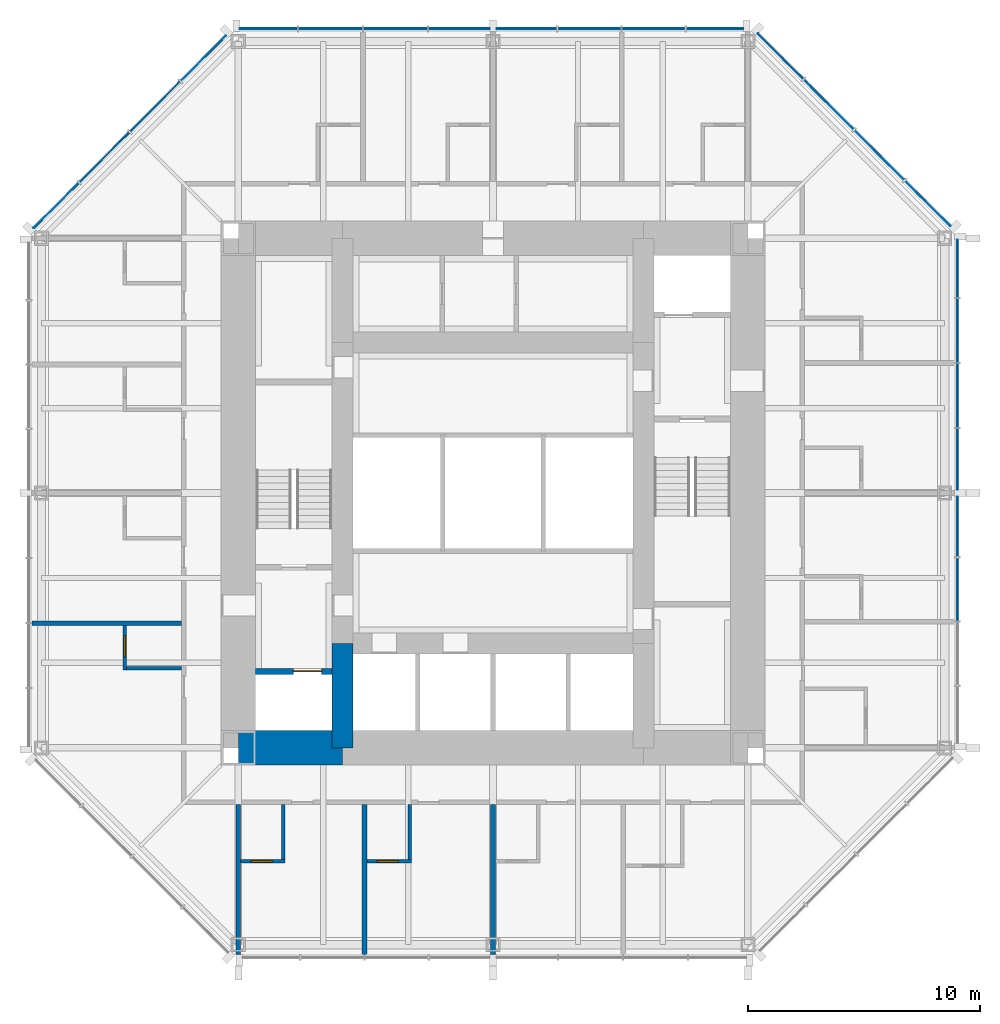
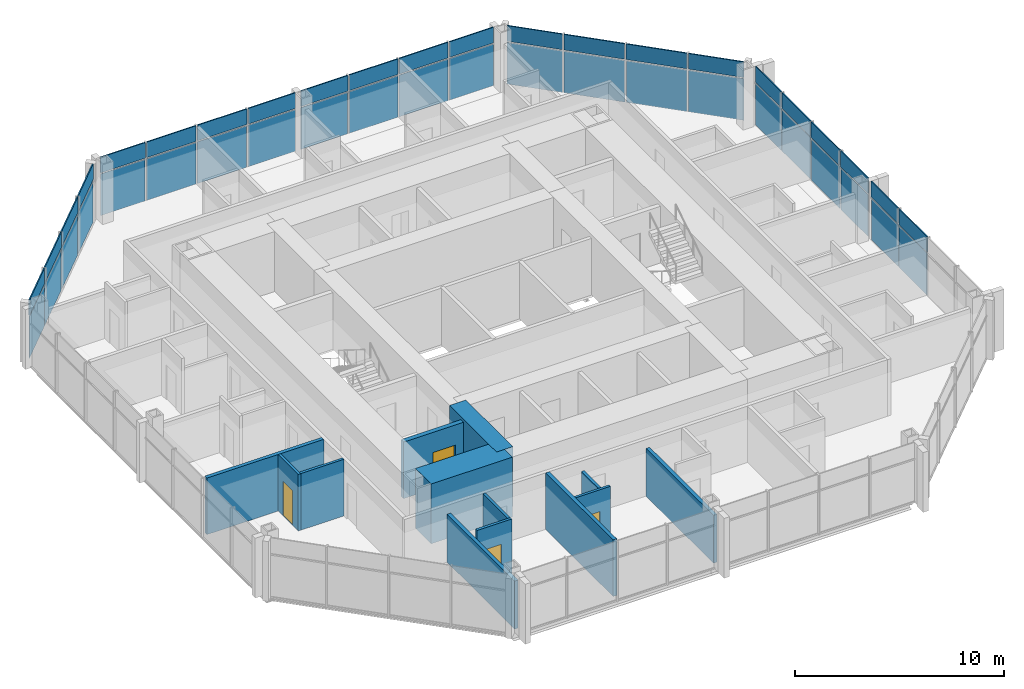
# One storey, part 7 of 12: 44 plates, 13 walls, 4 doors, 4 openings, 4 elements without a shape of their own.
"""IFC4 building model written with IfcOpenShell, lengths in metres."""

import ifcopenshell
import ifcopenshell.guid

model = None  # the IFC model being written
_history = None  # IfcOwnerHistory: only IFC2X3 demands one
_inside = {}  # id of a spatial element -> (the spatial element, [elements in it])
_under = {}  # id of a project, library or spatial element -> (it, [spatial elements below it])
_declared = {}  # id of a project -> (the project, [libraries it declares])
_typed = {}  # id of a type object -> (the type object, [elements of that type])
_made_of = {}  # id of a material, layer set ... -> (it, [elements and type objects made of it])


def new_model(schema):
    """Start an empty IFC model of exactly this schema.

    Asked for "IFC4X3", IfcOpenShell would pick the latest addendum, in which some entities
    have other attributes; the version numbers below select the first issue.
    IFC2X3 requires an IfcOwnerHistory on every rooted entity: one is made here for all.
    """
    global model, _history
    if schema == "IFC4X3":
        model = ifcopenshell.file(schema_version=(4, 3, 0, 0))
    else:
        model = ifcopenshell.file(schema=schema)
    _inside.clear()
    _under.clear()
    _declared.clear()
    _typed.clear()
    _made_of.clear()
    _history = None
    if model.schema == "IFC2X3":
        org = make("IfcOrganization", Name="unknown")
        user = make(
            "IfcPersonAndOrganization",
            ThePerson=make("IfcPerson", FamilyName="unknown"),
            TheOrganization=org,
        )
        app = make(
            "IfcApplication",
            ApplicationDeveloper=org,
            Version="unknown",
            ApplicationFullName="unknown",
            ApplicationIdentifier="unknown",
        )
        _history = make(
            "IfcOwnerHistory",
            OwningUser=user,
            OwningApplication=app,
            ChangeAction="ADDED",
            CreationDate=0,
        )
    return model


def make(cls, **values):
    """One entity of the class cls with the attributes given. An attribute that is None is left unset."""
    return model.create_entity(
        cls, **{name: value for name, value in values.items() if value is not None}
    )


def rooted(cls, **values):
    """An entity with a GlobalId (a new one), such as an element, a storey or a relation."""
    return make(cls, GlobalId=ifcopenshell.guid.new(), OwnerHistory=_history, **values)


def si_unit(unit_type, name, prefix=None):
    """IfcSIUnit, for example si_unit("LENGTHUNIT", "METRE", prefix="MILLI")."""
    return make("IfcSIUnit", UnitType=unit_type, Prefix=prefix, Name=name)


def assignment(units):
    """IfcUnitAssignment: the units of a project."""
    return None if units is None else make("IfcUnitAssignment", Units=units)


def point(xyz):
    """IfcCartesianPoint."""
    return None if xyz is None else make("IfcCartesianPoint", Coordinates=xyz)


def direction(xyz):
    """IfcDirection."""
    return None if xyz is None else make("IfcDirection", DirectionRatios=xyz)


def frame(location, z_axis=None, x_axis=None):
    """IfcAxis2Placement3D, a coordinate frame: its origin and axes. An axis left out is left unset."""
    return make(
        "IfcAxis2Placement3D",
        Location=point(location),
        Axis=direction(z_axis),
        RefDirection=direction(x_axis),
    )


def frame_2d(location, x_axis=None):
    """IfcAxis2Placement2D, a coordinate frame in the plane: its origin and x axis."""
    return make(
        "IfcAxis2Placement2D", Location=point(location), RefDirection=direction(x_axis)
    )


def origin():
    """The frame at (0, 0, 0) with its axes left unset."""
    return frame((0.0, 0.0, 0.0))


def origin_2d():
    """The frame at (0, 0) in the plane with its x axis left unset."""
    return frame_2d((0.0, 0.0))


def place(relative_to, where):
    """IfcLocalPlacement: puts the frame where relative to a parent placement (None: the world)."""
    return make(
        "IfcLocalPlacement", PlacementRelTo=relative_to, RelativePlacement=where
    )


def context(
    kind, dimensions, precision=None, world=None, true_north=None, identifier=None
):
    """IfcGeometricRepresentationContext, for example the 3D "Model" context."""
    return make(
        "IfcGeometricRepresentationContext",
        ContextIdentifier=identifier,
        ContextType=kind,
        CoordinateSpaceDimension=dimensions,
        Precision=precision,
        WorldCoordinateSystem=world,
        TrueNorth=true_north,
    )


def subcontext(parent, identifier, kind, view, scale=None):
    """IfcGeometricRepresentationSubContext, for example "Body" below "Model"."""
    return make(
        "IfcGeometricRepresentationSubContext",
        ContextIdentifier=identifier,
        ContextType=kind,
        ParentContext=parent,
        TargetScale=scale,
        TargetView=view,
    )


def project(units=None, contexts=None):
    """IfcProject with its units and contexts."""
    return rooted(
        "IfcProject",
        Name="project",
        RepresentationContexts=contexts,
        UnitsInContext=assignment(units),
    )


def spatial(cls, under=None, at=None, **own):
    """A site, building, storey or space (cls), placed at a placement, below another one or the project."""
    s = rooted(cls, ObjectPlacement=at, **own)
    if under is not None:
        _under.setdefault(under.id(), (under, []))[1].append(s)
    return s


def profile(cls, at=None, kind="AREA", **sizes):
    """A parametric profile (cls). Its sizes go by their IFC names, for example OverallWidth=200.0."""
    return make(cls, ProfileType=kind, Position=at, **sizes)


def rectangle(**sizes):
    """IfcRectangleProfileDef."""
    return profile("IfcRectangleProfileDef", **sizes)


def extrude(swept, where, along, depth):
    """IfcExtrudedAreaSolid: the profile swept, set in the frame where, extruded along a direction by depth."""
    return make(
        "IfcExtrudedAreaSolid",
        SweptArea=swept,
        Position=where,
        ExtrudedDirection=direction(along),
        Depth=depth,
    )


def shape(context_of_items, identifier, shape_type, items):
    """IfcShapeRepresentation: the items that make up one representation, for example the "Body"."""
    return make(
        "IfcShapeRepresentation",
        ContextOfItems=context_of_items,
        RepresentationIdentifier=identifier,
        RepresentationType=shape_type,
        Items=items,
    )


def material(Name=None, Category=None):
    """IfcMaterial."""
    return make("IfcMaterial", Name=Name, Category=Category)


def layer(
    of_material, thickness, ventilated=None, Name=None, Category=None, Priority=None
):
    """IfcMaterialLayer: one layer of a wall or slab, of a material (None: an air gap)."""
    return make(
        "IfcMaterialLayer",
        Material=of_material,
        LayerThickness=thickness,
        IsVentilated=ventilated,
        Name=Name,
        Category=Category,
        Priority=Priority,
    )


def layer_set(layers, Name=None):
    """IfcMaterialLayerSet."""
    return make("IfcMaterialLayerSet", MaterialLayers=layers, LayerSetName=Name)


def made_of(thing, what):
    """Note that an element or type object is made of a material, layer set ...; save() writes the relation."""
    if what is not None:
        _made_of.setdefault(what.id(), (what, []))[1].append(thing)
    return thing


def type_object(cls, material=None, **own):
    """A type object (cls), such as IfcWallType, which elements share."""
    return made_of(rooted(cls, **own), material)


def element(
    cls,
    number,
    at=None,
    inside=None,
    cuts=None,
    type_object=None,
    material=None,
    context=None,
    identifier="Body",
    shape_type=None,
    held_by="IfcProductDefinitionShape",
    body=None,
    shapes=None,
    **own,
):
    """One element of the class cls, such as IfcWall. Its Tag is "e" and its number.

    at: its placement. inside: the storey or other place that contains it. cuts: it is an
    opening in that element (IfcRelVoidsElement). A single representation is given by context,
    identifier, shape_type and body (its items); several are given by shapes. held_by: the class
    of the entity that holds the representations. save() writes the other relations.
    """
    e = rooted(cls, Tag="e%d" % number, ObjectPlacement=at, **own)
    if body is not None:
        shapes = [shape(context, identifier, shape_type, body)]
    if shapes is not None:
        e.Representation = make(held_by, Representations=shapes)
    if inside is not None:
        _inside.setdefault(inside.id(), (inside, []))[1].append(e)
    if cuts is not None:
        rooted(
            "IfcRelVoidsElement", RelatingBuildingElement=cuts, RelatedOpeningElement=e
        )
    if type_object is not None:
        _typed.setdefault(type_object.id(), (type_object, []))[1].append(e)
    return made_of(e, material)


def fill(opening, filler):
    """IfcRelFillsElement: the door or window that sits in an opening."""
    return rooted(
        "IfcRelFillsElement",
        RelatingOpeningElement=opening,
        RelatedBuildingElement=filler,
    )


def aggregate(whole, parts):
    """IfcRelAggregates: a whole, such as a stair, and the parts it consists of."""
    return rooted("IfcRelAggregates", RelatingObject=whole, RelatedObjects=parts)


def save(model, path):
    """Write the relations noted so far, then the file.

    IfcRelAggregates (storeys below a building ...), IfcRelContainedInSpatialStructure (elements
    in a storey), IfcRelDefinesByType, IfcRelAssociatesMaterial and IfcRelDeclares: one each for
    every whole, place, type object, material and project.
    """
    for whole, parts in _under.values():
        aggregate(whole, parts)
    for where, things in _inside.values():
        rooted(
            "IfcRelContainedInSpatialStructure",
            RelatedElements=things,
            RelatingStructure=where,
        )
    for kind, things in _typed.values():
        rooted("IfcRelDefinesByType", RelatedObjects=things, RelatingType=kind)
    for what, things in _made_of.values():
        rooted("IfcRelAssociatesMaterial", RelatedObjects=things, RelatingMaterial=what)
    for by, libraries in _declared.values():
        rooted("IfcRelDeclares", RelatingContext=by, RelatedDefinitions=libraries)
    model.write(path)


model = new_model("IFC4")

# Units and contexts
model_context = context("Model", 3, precision=1e-05, world=origin(), true_north=direction((0.0, 1.0)))
body_context = subcontext(model_context, "Body", "Model", "MODEL_VIEW")
ifc_project = project(units=[si_unit("LENGTHUNIT", "METRE"), si_unit("AREAUNIT", "SQUARE_METRE"), si_unit("VOLUMEUNIT", "CUBIC_METRE"), si_unit("PLANEANGLEUNIT", "RADIAN"), si_unit("MASSUNIT", "GRAM", prefix="KILO")], contexts=[model_context])

# Site, building, storey
site_placement = place(None, origin())
site = spatial("IfcSite", under=ifc_project, at=site_placement, CompositionType="ELEMENT")
building_placement = place(site_placement, origin())
building = spatial("IfcBuilding", under=site, at=building_placement, Name="Trevanion Tower", CompositionType="ELEMENT")
storey_placement = place(building_placement, frame((0.0, 0.0, 194.199951171875)))
storey = spatial("IfcBuildingStorey", under=building, at=storey_placement, Name="L45", CompositionType="ELEMENT", Elevation=194.199951171875)

# Curtain wall, plates
ifc_material_1 = material(Name="Aluminium and glass", Category="aluminium")
curtain_wall_type = type_object("IfcCurtainWallType", Name="CW3 curtain wall", PredefinedType="USERDEFINED", material=ifc_material_1)
curtain_wall_1_placement = place(storey_placement, origin())
curtain_wall_1 = element("IfcCurtainWall", 1, at=curtain_wall_1_placement, inside=storey, type_object=curtain_wall_type, Name="CW3 L45 0", ObjectType="UNITISED CURTAIN WALL", PredefinedType="USERDEFINED")
ifc_material_2 = material(Name="Aluminium spandrel panel", Category="aluminium")
ifc_layer_1 = layer(ifc_material_2, 0.06005859375)
ifc_layer_set_1 = layer_set([ifc_layer_1], Name="CW3 spandrel panel")
plate_type_1 = type_object("IfcPlateType", Name="CW3 spandrel panel", PredefinedType="CURTAIN_PANEL", material=ifc_layer_set_1)
plate_1_placement = place(storey_placement, frame((20.050048828125, -4.16162109375, 2.3974609375), z_axis=(0.0, 0.0, 1.0), x_axis=(0.0, 1.0, 0.0)))
plate_1 = element("IfcPlate", 2, at=plate_1_placement, type_object=plate_type_1, Name="CW3 panel 3.2", PredefinedType="CURTAIN_PANEL", context=body_context, shape_type="SweptSolid", body=[
    extrude(rectangle(XDim=2.699462890625, YDim=0.06005859375, at=origin_2d()), origin(), (0.0, 0.0, 1.0), 0.91259765625),
])
plate_2_placement = place(storey_placement, frame((20.050048828125, -1.443603515625, 2.3974609375), z_axis=(0.0, 0.0, 1.0), x_axis=(0.0, 1.0, 0.0)))
plate_2 = element("IfcPlate", 3, at=plate_2_placement, type_object=plate_type_1, Name="CW3 panel 4.2", PredefinedType="CURTAIN_PANEL", context=body_context, shape_type="SweptSolid", body=[
    extrude(rectangle(XDim=2.5869140625, YDim=0.06005859375, at=origin_2d()), origin(), (0.0, 0.0, 1.0), 0.91259765625),
])
plate_3_placement = place(storey_placement, frame((20.050048828125, 1.459716796875, 2.3974609375), z_axis=(0.0, 0.0, 1.0), x_axis=(0.0, 1.0, 0.0)))
plate_3 = element("IfcPlate", 4, at=plate_3_placement, type_object=plate_type_1, Name="CW3 panel 5.2", PredefinedType="CURTAIN_PANEL", context=body_context, shape_type="SweptSolid", body=[
    extrude(rectangle(XDim=2.619384765625, YDim=0.06005859375, at=origin_2d()), origin(), (0.0, 0.0, 1.0), 0.91259765625),
])
plate_4_placement = place(storey_placement, frame((20.050048828125, 4.21044921875, 2.3974609375), z_axis=(0.0, 0.0, 1.0), x_axis=(0.0, 1.0, 0.0)))
plate_4 = element("IfcPlate", 5, at=plate_4_placement, type_object=plate_type_1, Name="CW3 panel 6.2", PredefinedType="CURTAIN_PANEL", context=body_context, shape_type="SweptSolid", body=[
    extrude(rectangle(XDim=2.73193359375, YDim=0.06005859375, at=origin_2d()), origin(), (0.0, 0.0, 1.0), 0.91259765625),
])
plate_5_placement = place(storey_placement, frame((20.050048828125, 7.017333984375, 2.3974609375), z_axis=(0.0, 0.0, 1.0), x_axis=(0.0, 1.0, 0.0)))
plate_5 = element("IfcPlate", 6, at=plate_5_placement, type_object=plate_type_1, Name="CW3 panel 7.2", PredefinedType="CURTAIN_PANEL", context=body_context, shape_type="SweptSolid", body=[
    extrude(rectangle(XDim=2.73193359375, YDim=0.06005859375, at=origin_2d()), origin(), (0.0, 0.0, 1.0), 0.91259765625),
])
plate_6_placement = place(storey_placement, frame((20.050048828125, 9.693115234375, 2.3974609375), z_axis=(0.0, 0.0, 1.0), x_axis=(0.0, 1.0, 0.0)))
plate_6 = element("IfcPlate", 7, at=plate_6_placement, type_object=plate_type_1, Name="CW3 panel 8.2", PredefinedType="CURTAIN_PANEL", context=body_context, shape_type="SweptSolid", body=[
    extrude(rectangle(XDim=2.469482421875, YDim=0.06005859375, at=origin_2d()), origin(), (0.0, 0.0, 1.0), 0.91259765625),
])

curtain_wall_2_placement = place(storey_placement, origin())
curtain_wall_2 = element("IfcCurtainWall", 8, at=curtain_wall_2_placement, inside=storey, type_object=curtain_wall_type, Name="CW3 L45 1", ObjectType="UNITISED CURTAIN WALL", PredefinedType="USERDEFINED")
plate_7_placement = place(storey_placement, frame((18.77392578125, 12.50390625, 2.3974609375), z_axis=(0.0, 0.0, 1.0), x_axis=(-0.707106781187, 0.707106781187, 0.0)))
plate_7 = element("IfcPlate", 9, at=plate_7_placement, type_object=plate_type_1, Name="CW3 panel 1.2", PredefinedType="CURTAIN_PANEL", context=body_context, shape_type="SweptSolid", body=[
    extrude(rectangle(XDim=2.7490234375, YDim=0.06005859375, at=origin_2d()), origin(), (0.0, 0.0, 1.0), 0.91259765625),
])
plate_8_placement = place(storey_placement, frame((16.68408203125, 14.593505859375, 2.3974609375), z_axis=(0.0, 0.0, 1.0), x_axis=(-0.707106781187, 0.707106781187, 0.0)))
plate_8 = element("IfcPlate", 10, at=plate_8_placement, type_object=plate_type_1, Name="CW3 panel 2.2", PredefinedType="CURTAIN_PANEL", context=body_context, shape_type="SweptSolid", body=[
    extrude(rectangle(XDim=3.01171875, YDim=0.06005859375, at=origin_2d()), origin(), (0.0, 0.0, 1.0), 0.91259765625),
])
plate_9_placement = place(storey_placement, frame((14.501708984375, 16.776123046875, 2.3974609375), z_axis=(0.0, 0.0, 1.0), x_axis=(-0.707106781187, 0.707106781187, 0.0)))
plate_9 = element("IfcPlate", 11, at=plate_9_placement, type_object=plate_type_1, Name="CW3 panel 3.2", PredefinedType="CURTAIN_PANEL", context=body_context, shape_type="SweptSolid", body=[
    extrude(rectangle(XDim=3.01171875, YDim=0.06005859375, at=origin_2d()), origin(), (0.0, 0.0, 1.0), 0.91259765625),
])
plate_10_placement = place(storey_placement, frame((12.411865234375, 18.865966796875, 2.3974609375), z_axis=(0.0, 0.0, 1.0), x_axis=(-0.707106781187, 0.707106781187, 0.0)))
plate_10 = element("IfcPlate", 12, at=plate_10_placement, type_object=plate_type_1, Name="CW3 panel 4.2", PredefinedType="CURTAIN_PANEL", context=body_context, shape_type="SweptSolid", body=[
    extrude(rectangle(XDim=2.7490234375, YDim=0.06005859375, at=origin_2d()), origin(), (0.0, 0.0, 1.0), 0.91259765625),
])

curtain_wall_3_placement = place(storey_placement, origin())
curtain_wall_3 = element("IfcCurtainWall", 13, at=curtain_wall_3_placement, inside=storey, type_object=curtain_wall_type, Name="CW3 L45 2", ObjectType="UNITISED CURTAIN WALL", PredefinedType="USERDEFINED")
plate_11_placement = place(storey_placement, frame((9.579345703125, 20.050048828125, 2.3974609375), z_axis=(0.0, 0.0, 1.0), x_axis=(-1.0, 0.0, 0.0)))
plate_11 = element("IfcPlate", 14, at=plate_11_placement, type_object=plate_type_1, Name="CW3 panel 1.2", PredefinedType="CURTAIN_PANEL", context=body_context, shape_type="SweptSolid", body=[
    extrude(rectangle(XDim=2.43701171875, YDim=0.06005859375, at=origin_2d()), origin(), (0.0, 0.0, 1.0), 0.91259765625),
])
plate_12_placement = place(storey_placement, frame((6.93603515625, 20.050048828125, 2.3974609375), z_axis=(0.0, 0.0, 1.0), x_axis=(-1.0, 0.0, 0.0)))
plate_12 = element("IfcPlate", 15, at=plate_12_placement, type_object=plate_type_1, Name="CW3 panel 2.2", PredefinedType="CURTAIN_PANEL", context=body_context, shape_type="SweptSolid", body=[
    extrude(rectangle(XDim=2.699462890625, YDim=0.06005859375, at=origin_2d()), origin(), (0.0, 0.0, 1.0), 0.91259765625),
])
plate_13_placement = place(storey_placement, frame((4.16162109375, 20.050048828125, 2.3974609375), z_axis=(0.0, 0.0, 1.0), x_axis=(-1.0, 0.0, 0.0)))
plate_13 = element("IfcPlate", 16, at=plate_13_placement, type_object=plate_type_1, Name="CW3 panel 3.2", PredefinedType="CURTAIN_PANEL", context=body_context, shape_type="SweptSolid", body=[
    extrude(rectangle(XDim=2.699462890625, YDim=0.06005859375, at=origin_2d()), origin(), (0.0, 0.0, 1.0), 0.91259765625),
])
plate_14_placement = place(storey_placement, frame((1.443603515625, 20.050048828125, 2.3974609375), z_axis=(0.0, 0.0, 1.0), x_axis=(-1.0, 0.0, 0.0)))
plate_14 = element("IfcPlate", 17, at=plate_14_placement, type_object=plate_type_1, Name="CW3 panel 4.2", PredefinedType="CURTAIN_PANEL", context=body_context, shape_type="SweptSolid", body=[
    extrude(rectangle(XDim=2.5869140625, YDim=0.06005859375, at=origin_2d()), origin(), (0.0, 0.0, 1.0), 0.91259765625),
])
plate_15_placement = place(storey_placement, frame((-1.459716796875, 20.050048828125, 2.3974609375), z_axis=(0.0, 0.0, 1.0), x_axis=(-1.0, 0.0, 0.0)))
plate_15 = element("IfcPlate", 18, at=plate_15_placement, type_object=plate_type_1, Name="CW3 panel 5.2", PredefinedType="CURTAIN_PANEL", context=body_context, shape_type="SweptSolid", body=[
    extrude(rectangle(XDim=2.619384765625, YDim=0.06005859375, at=origin_2d()), origin(), (0.0, 0.0, 1.0), 0.91259765625),
])
plate_16_placement = place(storey_placement, frame((-4.21044921875, 20.050048828125, 2.3974609375), z_axis=(0.0, 0.0, 1.0), x_axis=(-1.0, 0.0, 0.0)))
plate_16 = element("IfcPlate", 19, at=plate_16_placement, type_object=plate_type_1, Name="CW3 panel 6.2", PredefinedType="CURTAIN_PANEL", context=body_context, shape_type="SweptSolid", body=[
    extrude(rectangle(XDim=2.73193359375, YDim=0.06005859375, at=origin_2d()), origin(), (0.0, 0.0, 1.0), 0.91259765625),
])
plate_17_placement = place(storey_placement, frame((-7.017333984375, 20.050048828125, 2.3974609375), z_axis=(0.0, 0.0, 1.0), x_axis=(-1.0, 0.0, 0.0)))
plate_17 = element("IfcPlate", 20, at=plate_17_placement, type_object=plate_type_1, Name="CW3 panel 7.2", PredefinedType="CURTAIN_PANEL", context=body_context, shape_type="SweptSolid", body=[
    extrude(rectangle(XDim=2.73193359375, YDim=0.06005859375, at=origin_2d()), origin(), (0.0, 0.0, 1.0), 0.91259765625),
])
plate_18_placement = place(storey_placement, frame((-9.693115234375, 20.050048828125, 2.3974609375), z_axis=(0.0, 0.0, 1.0), x_axis=(-1.0, 0.0, 0.0)))
plate_18 = element("IfcPlate", 21, at=plate_18_placement, type_object=plate_type_1, Name="CW3 panel 8.2", PredefinedType="CURTAIN_PANEL", context=body_context, shape_type="SweptSolid", body=[
    extrude(rectangle(XDim=2.469482421875, YDim=0.06005859375, at=origin_2d()), origin(), (0.0, 0.0, 1.0), 0.91259765625),
])

curtain_wall_4_placement = place(storey_placement, origin())
curtain_wall_4 = element("IfcCurtainWall", 22, at=curtain_wall_4_placement, inside=storey, type_object=curtain_wall_type, Name="CW3 L45 3", ObjectType="UNITISED CURTAIN WALL", PredefinedType="USERDEFINED")
plate_19_placement = place(storey_placement, frame((-12.50390625, 18.77392578125, 2.3974609375), z_axis=(0.0, 0.0, 1.0), x_axis=(-0.707106781187, -0.707106781187, 0.0)))
plate_19 = element("IfcPlate", 23, at=plate_19_placement, type_object=plate_type_1, Name="CW3 panel 1.2", PredefinedType="CURTAIN_PANEL", context=body_context, shape_type="SweptSolid", body=[
    extrude(rectangle(XDim=2.7490234375, YDim=0.06005859375, at=origin_2d()), origin(), (0.0, 0.0, 1.0), 0.91259765625),
])
plate_20_placement = place(storey_placement, frame((-14.593505859375, 16.68408203125, 2.3974609375), z_axis=(0.0, 0.0, 1.0), x_axis=(-0.707106781187, -0.707106781187, 0.0)))
plate_20 = element("IfcPlate", 24, at=plate_20_placement, type_object=plate_type_1, Name="CW3 panel 2.2", PredefinedType="CURTAIN_PANEL", context=body_context, shape_type="SweptSolid", body=[
    extrude(rectangle(XDim=3.01171875, YDim=0.06005859375, at=origin_2d()), origin(), (0.0, 0.0, 1.0), 0.91259765625),
])
plate_21_placement = place(storey_placement, frame((-16.776123046875, 14.501708984375, 2.3974609375), z_axis=(0.0, 0.0, 1.0), x_axis=(-0.707106781187, -0.707106781187, 0.0)))
plate_21 = element("IfcPlate", 25, at=plate_21_placement, type_object=plate_type_1, Name="CW3 panel 3.2", PredefinedType="CURTAIN_PANEL", context=body_context, shape_type="SweptSolid", body=[
    extrude(rectangle(XDim=3.01171875, YDim=0.06005859375, at=origin_2d()), origin(), (0.0, 0.0, 1.0), 0.91259765625),
])
plate_22_placement = place(storey_placement, frame((-18.865966796875, 12.411865234375, 2.3974609375), z_axis=(0.0, 0.0, 1.0), x_axis=(-0.707106781187, -0.707106781187, 0.0)))
plate_22 = element("IfcPlate", 26, at=plate_22_placement, type_object=plate_type_1, Name="CW3 panel 4.2", PredefinedType="CURTAIN_PANEL", context=body_context, shape_type="SweptSolid", body=[
    extrude(rectangle(XDim=2.7490234375, YDim=0.06005859375, at=origin_2d()), origin(), (0.0, 0.0, 1.0), 0.91259765625),
])

# Plate
ifc_material_3 = material(Name="Insulating glass unit", Category="glass")
ifc_layer_2 = layer(ifc_material_3, 0.028076171875)
ifc_layer_set_2 = layer_set([ifc_layer_2], Name="CW3 vision panel")
plate_type_2 = type_object("IfcPlateType", Name="CW3 vision panel", PredefinedType="CURTAIN_PANEL", material=ifc_layer_set_2)
plate_23_placement = place(storey_placement, frame((20.050048828125, -4.16162109375, -0.114990234375), z_axis=(0.0, 0.0, 1.0), x_axis=(0.0, 1.0, 0.0)))
plate_23 = element("IfcPlate", 27, at=plate_23_placement, type_object=plate_type_2, Name="CW3 panel 3.1", PredefinedType="CURTAIN_PANEL", context=body_context, shape_type="SweptSolid", body=[
    extrude(rectangle(XDim=2.699462890625, YDim=0.028076171875, at=origin_2d()), origin(), (0.0, 0.0, 1.0), 2.4375),
])

plate_24_placement = place(storey_placement, frame((20.050048828125, -1.443603515625, -0.114990234375), z_axis=(0.0, 0.0, 1.0), x_axis=(0.0, 1.0, 0.0)))
plate_24 = element("IfcPlate", 28, at=plate_24_placement, type_object=plate_type_2, Name="CW3 panel 4.1", PredefinedType="CURTAIN_PANEL", context=body_context, shape_type="SweptSolid", body=[
    extrude(rectangle(XDim=2.5869140625, YDim=0.028076171875, at=origin_2d()), origin(), (0.0, 0.0, 1.0), 2.4375),
])

plate_25_placement = place(storey_placement, frame((20.050048828125, 1.459716796875, -0.114990234375), z_axis=(0.0, 0.0, 1.0), x_axis=(0.0, 1.0, 0.0)))
plate_25 = element("IfcPlate", 29, at=plate_25_placement, type_object=plate_type_2, Name="CW3 panel 5.1", PredefinedType="CURTAIN_PANEL", context=body_context, shape_type="SweptSolid", body=[
    extrude(rectangle(XDim=2.619384765625, YDim=0.028076171875, at=origin_2d()), origin(), (0.0, 0.0, 1.0), 2.4375),
])

plate_26_placement = place(storey_placement, frame((20.050048828125, 4.21044921875, -0.114990234375), z_axis=(0.0, 0.0, 1.0), x_axis=(0.0, 1.0, 0.0)))
plate_26 = element("IfcPlate", 30, at=plate_26_placement, type_object=plate_type_2, Name="CW3 panel 6.1", PredefinedType="CURTAIN_PANEL", context=body_context, shape_type="SweptSolid", body=[
    extrude(rectangle(XDim=2.73193359375, YDim=0.028076171875, at=origin_2d()), origin(), (0.0, 0.0, 1.0), 2.4375),
])

plate_27_placement = place(storey_placement, frame((20.050048828125, 7.017333984375, -0.114990234375), z_axis=(0.0, 0.0, 1.0), x_axis=(0.0, 1.0, 0.0)))
plate_27 = element("IfcPlate", 31, at=plate_27_placement, type_object=plate_type_2, Name="CW3 panel 7.1", PredefinedType="CURTAIN_PANEL", context=body_context, shape_type="SweptSolid", body=[
    extrude(rectangle(XDim=2.73193359375, YDim=0.028076171875, at=origin_2d()), origin(), (0.0, 0.0, 1.0), 2.4375),
])

plate_28_placement = place(storey_placement, frame((20.050048828125, 9.693115234375, -0.114990234375), z_axis=(0.0, 0.0, 1.0), x_axis=(0.0, 1.0, 0.0)))
plate_28 = element("IfcPlate", 32, at=plate_28_placement, type_object=plate_type_2, Name="CW3 panel 8.1", PredefinedType="CURTAIN_PANEL", context=body_context, shape_type="SweptSolid", body=[
    extrude(rectangle(XDim=2.469482421875, YDim=0.028076171875, at=origin_2d()), origin(), (0.0, 0.0, 1.0), 2.4375),
])

aggregate(curtain_wall_1, [plate_23, plate_1, plate_24, plate_2, plate_25, plate_3, plate_26, plate_4, plate_27, plate_5, plate_28, plate_6])

plate_29_placement = place(storey_placement, frame((18.77392578125, 12.50390625, -0.114990234375), z_axis=(0.0, 0.0, 1.0), x_axis=(-0.707106781187, 0.707106781187, 0.0)))
plate_29 = element("IfcPlate", 33, at=plate_29_placement, type_object=plate_type_2, Name="CW3 panel 1.1", PredefinedType="CURTAIN_PANEL", context=body_context, shape_type="SweptSolid", body=[
    extrude(rectangle(XDim=2.7490234375, YDim=0.028076171875, at=origin_2d()), origin(), (0.0, 0.0, 1.0), 2.4375),
])

plate_30_placement = place(storey_placement, frame((16.68408203125, 14.593505859375, -0.114990234375), z_axis=(0.0, 0.0, 1.0), x_axis=(-0.707106781187, 0.707106781187, 0.0)))
plate_30 = element("IfcPlate", 34, at=plate_30_placement, type_object=plate_type_2, Name="CW3 panel 2.1", PredefinedType="CURTAIN_PANEL", context=body_context, shape_type="SweptSolid", body=[
    extrude(rectangle(XDim=3.01171875, YDim=0.028076171875, at=origin_2d()), origin(), (0.0, 0.0, 1.0), 2.4375),
])

plate_31_placement = place(storey_placement, frame((14.501708984375, 16.776123046875, -0.114990234375), z_axis=(0.0, 0.0, 1.0), x_axis=(-0.707106781187, 0.707106781187, 0.0)))
plate_31 = element("IfcPlate", 35, at=plate_31_placement, type_object=plate_type_2, Name="CW3 panel 3.1", PredefinedType="CURTAIN_PANEL", context=body_context, shape_type="SweptSolid", body=[
    extrude(rectangle(XDim=3.01171875, YDim=0.028076171875, at=origin_2d()), origin(), (0.0, 0.0, 1.0), 2.4375),
])

plate_32_placement = place(storey_placement, frame((12.411865234375, 18.865966796875, -0.114990234375), z_axis=(0.0, 0.0, 1.0), x_axis=(-0.707106781187, 0.707106781187, 0.0)))
plate_32 = element("IfcPlate", 36, at=plate_32_placement, type_object=plate_type_2, Name="CW3 panel 4.1", PredefinedType="CURTAIN_PANEL", context=body_context, shape_type="SweptSolid", body=[
    extrude(rectangle(XDim=2.7490234375, YDim=0.028076171875, at=origin_2d()), origin(), (0.0, 0.0, 1.0), 2.4375),
])

aggregate(curtain_wall_2, [plate_29, plate_7, plate_30, plate_8, plate_31, plate_9, plate_32, plate_10])

plate_33_placement = place(storey_placement, frame((9.579345703125, 20.050048828125, -0.114990234375), z_axis=(0.0, 0.0, 1.0), x_axis=(-1.0, 0.0, 0.0)))
plate_33 = element("IfcPlate", 37, at=plate_33_placement, type_object=plate_type_2, Name="CW3 panel 1.1", PredefinedType="CURTAIN_PANEL", context=body_context, shape_type="SweptSolid", body=[
    extrude(rectangle(XDim=2.43701171875, YDim=0.028076171875, at=origin_2d()), origin(), (0.0, 0.0, 1.0), 2.4375),
])

plate_34_placement = place(storey_placement, frame((6.93603515625, 20.050048828125, -0.114990234375), z_axis=(0.0, 0.0, 1.0), x_axis=(-1.0, 0.0, 0.0)))
plate_34 = element("IfcPlate", 38, at=plate_34_placement, type_object=plate_type_2, Name="CW3 panel 2.1", PredefinedType="CURTAIN_PANEL", context=body_context, shape_type="SweptSolid", body=[
    extrude(rectangle(XDim=2.699462890625, YDim=0.028076171875, at=origin_2d()), origin(), (0.0, 0.0, 1.0), 2.4375),
])

plate_35_placement = place(storey_placement, frame((4.16162109375, 20.050048828125, -0.114990234375), z_axis=(0.0, 0.0, 1.0), x_axis=(-1.0, 0.0, 0.0)))
plate_35 = element("IfcPlate", 39, at=plate_35_placement, type_object=plate_type_2, Name="CW3 panel 3.1", PredefinedType="CURTAIN_PANEL", context=body_context, shape_type="SweptSolid", body=[
    extrude(rectangle(XDim=2.699462890625, YDim=0.028076171875, at=origin_2d()), origin(), (0.0, 0.0, 1.0), 2.4375),
])

plate_36_placement = place(storey_placement, frame((1.443603515625, 20.050048828125, -0.114990234375), z_axis=(0.0, 0.0, 1.0), x_axis=(-1.0, 0.0, 0.0)))
plate_36 = element("IfcPlate", 40, at=plate_36_placement, type_object=plate_type_2, Name="CW3 panel 4.1", PredefinedType="CURTAIN_PANEL", context=body_context, shape_type="SweptSolid", body=[
    extrude(rectangle(XDim=2.5869140625, YDim=0.028076171875, at=origin_2d()), origin(), (0.0, 0.0, 1.0), 2.4375),
])

plate_37_placement = place(storey_placement, frame((-1.459716796875, 20.050048828125, -0.114990234375), z_axis=(0.0, 0.0, 1.0), x_axis=(-1.0, 0.0, 0.0)))
plate_37 = element("IfcPlate", 41, at=plate_37_placement, type_object=plate_type_2, Name="CW3 panel 5.1", PredefinedType="CURTAIN_PANEL", context=body_context, shape_type="SweptSolid", body=[
    extrude(rectangle(XDim=2.619384765625, YDim=0.028076171875, at=origin_2d()), origin(), (0.0, 0.0, 1.0), 2.4375),
])

plate_38_placement = place(storey_placement, frame((-4.21044921875, 20.050048828125, -0.114990234375), z_axis=(0.0, 0.0, 1.0), x_axis=(-1.0, 0.0, 0.0)))
plate_38 = element("IfcPlate", 42, at=plate_38_placement, type_object=plate_type_2, Name="CW3 panel 6.1", PredefinedType="CURTAIN_PANEL", context=body_context, shape_type="SweptSolid", body=[
    extrude(rectangle(XDim=2.73193359375, YDim=0.028076171875, at=origin_2d()), origin(), (0.0, 0.0, 1.0), 2.4375),
])

plate_39_placement = place(storey_placement, frame((-7.017333984375, 20.050048828125, -0.114990234375), z_axis=(0.0, 0.0, 1.0), x_axis=(-1.0, 0.0, 0.0)))
plate_39 = element("IfcPlate", 43, at=plate_39_placement, type_object=plate_type_2, Name="CW3 panel 7.1", PredefinedType="CURTAIN_PANEL", context=body_context, shape_type="SweptSolid", body=[
    extrude(rectangle(XDim=2.73193359375, YDim=0.028076171875, at=origin_2d()), origin(), (0.0, 0.0, 1.0), 2.4375),
])

plate_40_placement = place(storey_placement, frame((-9.693115234375, 20.050048828125, -0.114990234375), z_axis=(0.0, 0.0, 1.0), x_axis=(-1.0, 0.0, 0.0)))
plate_40 = element("IfcPlate", 44, at=plate_40_placement, type_object=plate_type_2, Name="CW3 panel 8.1", PredefinedType="CURTAIN_PANEL", context=body_context, shape_type="SweptSolid", body=[
    extrude(rectangle(XDim=2.469482421875, YDim=0.028076171875, at=origin_2d()), origin(), (0.0, 0.0, 1.0), 2.4375),
])

aggregate(curtain_wall_3, [plate_33, plate_11, plate_34, plate_12, plate_35, plate_13, plate_36, plate_14, plate_37, plate_15, plate_38, plate_16, plate_39, plate_17, plate_40, plate_18])

plate_41_placement = place(storey_placement, frame((-12.50390625, 18.77392578125, -0.114990234375), z_axis=(0.0, 0.0, 1.0), x_axis=(-0.707106781187, -0.707106781187, 0.0)))
plate_41 = element("IfcPlate", 45, at=plate_41_placement, type_object=plate_type_2, Name="CW3 panel 1.1", PredefinedType="CURTAIN_PANEL", context=body_context, shape_type="SweptSolid", body=[
    extrude(rectangle(XDim=2.7490234375, YDim=0.028076171875, at=origin_2d()), origin(), (0.0, 0.0, 1.0), 2.4375),
])

plate_42_placement = place(storey_placement, frame((-14.593505859375, 16.68408203125, -0.114990234375), z_axis=(0.0, 0.0, 1.0), x_axis=(-0.707106781187, -0.707106781187, 0.0)))
plate_42 = element("IfcPlate", 46, at=plate_42_placement, type_object=plate_type_2, Name="CW3 panel 2.1", PredefinedType="CURTAIN_PANEL", context=body_context, shape_type="SweptSolid", body=[
    extrude(rectangle(XDim=3.01171875, YDim=0.028076171875, at=origin_2d()), origin(), (0.0, 0.0, 1.0), 2.4375),
])

plate_43_placement = place(storey_placement, frame((-16.776123046875, 14.501708984375, -0.114990234375), z_axis=(0.0, 0.0, 1.0), x_axis=(-0.707106781187, -0.707106781187, 0.0)))
plate_43 = element("IfcPlate", 47, at=plate_43_placement, type_object=plate_type_2, Name="CW3 panel 3.1", PredefinedType="CURTAIN_PANEL", context=body_context, shape_type="SweptSolid", body=[
    extrude(rectangle(XDim=3.01171875, YDim=0.028076171875, at=origin_2d()), origin(), (0.0, 0.0, 1.0), 2.4375),
])

plate_44_placement = place(storey_placement, frame((-18.865966796875, 12.411865234375, -0.114990234375), z_axis=(0.0, 0.0, 1.0), x_axis=(-0.707106781187, -0.707106781187, 0.0)))
plate_44 = element("IfcPlate", 48, at=plate_44_placement, type_object=plate_type_2, Name="CW3 panel 4.1", PredefinedType="CURTAIN_PANEL", context=body_context, shape_type="SweptSolid", body=[
    extrude(rectangle(XDim=2.7490234375, YDim=0.028076171875, at=origin_2d()), origin(), (0.0, 0.0, 1.0), 2.4375),
])

aggregate(curtain_wall_4, [plate_41, plate_19, plate_42, plate_20, plate_43, plate_21, plate_44, plate_22])

# Walls
ifc_material_4 = material(Name="Concrete 10,000 psi", Category="concrete")
ifc_layer_3 = layer(ifc_material_4, 1.5)
ifc_layer_set_3 = layer_set([ifc_layer_3], Name="CW1 core wall 1500")
wall_type_1 = type_object("IfcWallType", Name="CW1 core wall 1500", PredefinedType="SHEAR", material=ifc_layer_set_3)
wall_1_placement = place(storey_placement, frame((-11.0, -11.0, 0.0), z_axis=(0.0, 0.0, 1.0), x_axis=(1.0, 0.0, 0.0)))
element("IfcWall", 49, at=wall_1_placement, inside=storey, type_object=wall_type_1, Name="CW1 CS1 L45", PredefinedType="SHEAR", context=body_context, shape_type="SweptSolid", body=[
    extrude(rectangle(XDim=4.5, YDim=1.5, at=frame_2d((2.25, 0.0))), origin(), (0.0, 0.0, 1.0), 3.5),
])
ifc_material_5 = material(Name="Concrete 10,000 psi", Category="concrete")
ifc_layer_4 = layer(ifc_material_5, 0.89990234375)
ifc_layer_set_4 = layer_set([ifc_layer_4], Name="CW2 core wall 900")
wall_type_2 = type_object("IfcWallType", Name="CW2 core wall 900", PredefinedType="SHEAR", material=ifc_layer_set_4)
wall_2_placement = place(storey_placement, frame((-6.5, -6.5, 0.0), z_axis=(0.0, 0.0, 1.0), x_axis=(0.0, -1.0, 0.0)))
element("IfcWall", 50, at=wall_2_placement, inside=storey, type_object=wall_type_2, Name="CW2 RW3 L45", PredefinedType="SHEAR", context=body_context, shape_type="SweptSolid", body=[
    extrude(rectangle(XDim=4.5, YDim=0.89990234375, at=frame_2d((2.25, 0.0))), origin(), (0.0, 0.0, 1.0), 3.5),
])

# Wall, opening, door
ifc_material_6 = material(Name="Gypsum board on steel studs", Category="steel")
ifc_layer_5 = layer(ifc_material_6, 0.14990234375)
ifc_layer_set_5 = layer_set([ifc_layer_5], Name="PT1 partition 150")
wall_type_3 = type_object("IfcWallType", Name="PT1 partition 150", PredefinedType="PARTITIONING", material=ifc_layer_set_5)
wall_3_placement = place(storey_placement, frame((-15.89990234375, -5.714111328125, 0.0), z_axis=(0.0, 0.0, 1.0), x_axis=(0.0, -1.0, 0.0)))
wall_3 = element("IfcWall", 51, at=wall_3_placement, inside=storey, type_object=wall_type_3, Name="PT1 L45 BA23", PredefinedType="PARTITIONING", context=body_context, shape_type="SweptSolid", body=[
    extrude(rectangle(XDim=1.9248046875, YDim=0.14990234375, at=frame_2d((0.96240234375, 0.0))), origin(), (0.0, 0.0, 1.0), 3.31005859375),
])
opening_1_placement = place(wall_3_placement, frame((0.4423828125, 0.0, 0.0)))
opening_1 = element("IfcOpeningElement", 52, at=opening_1_placement, cuts=wall_3, Name="Opening 45-038", PredefinedType="OPENING", context=body_context, shape_type="SweptSolid", body=[
    extrude(rectangle(XDim=0.9150390625, YDim=2.031982421875, at=frame_2d((0.45751953125, 1.01611328125))), frame((0.0, 0.0849609375, 0.0), z_axis=(0.0, -1.0, 0.0), x_axis=(1.0, 0.0, 0.0)), (0.0, 0.0, 1.0), 0.169921875),
])
ifc_material_7 = material(Name="Timber veneer", Category="wood")
door_type_1 = type_object("IfcDoorType", Name="D7 bathroom door", OperationType="SINGLE_SWING_LEFT", PredefinedType="DOOR", material=ifc_material_7)
door_1_placement = place(opening_1_placement, origin())
door_1 = element("IfcDoor", 53, at=door_1_placement, inside=storey, type_object=door_type_1, Name="Door 45-038", OperationType="SINGLE_SWING_LEFT", OverallHeight=2.031982421875, OverallWidth=0.9150390625, PredefinedType="DOOR", context=body_context, shape_type="SweptSolid", body=[
    extrude(rectangle(XDim=0.9150390625, YDim=2.031982421875, at=frame_2d((0.45751953125, 1.01611328125))), frame((0.0, 0.02490234375, 0.0), z_axis=(0.0, -1.0, 0.0), x_axis=(1.0, 0.0, 0.0)), (0.0, 0.0, 1.0), 0.050048828125),
])
fill(opening_1, door_1)

# Wall
wall_4_placement = place(storey_placement, frame((-13.449951171875, -7.56396484375, 0.0), z_axis=(0.0, 0.0, 1.0), x_axis=(-1.0, 0.0, 0.0)))
element("IfcWall", 54, at=wall_4_placement, inside=storey, type_object=wall_type_3, Name="PT1 L45 BB23", PredefinedType="PARTITIONING", context=body_context, shape_type="SweptSolid", body=[
    extrude(rectangle(XDim=2.375, YDim=0.14990234375, at=frame_2d((1.1875, 0.0))), origin(), (0.0, 0.0, 1.0), 3.31005859375),
])

# Wall, opening, door
wall_5_placement = place(storey_placement, frame((-10.89990234375, -15.89990234375, 0.0), z_axis=(0.0, 0.0, 1.0), x_axis=(1.0, 0.0, 0.0)))
wall_5 = element("IfcWall", 55, at=wall_5_placement, inside=storey, type_object=wall_type_3, Name="PT1 L45 BA30", PredefinedType="PARTITIONING", context=body_context, shape_type="SweptSolid", body=[
    extrude(rectangle(XDim=1.9248046875, YDim=0.14990234375, at=frame_2d((0.96240234375, 0.0))), origin(), (0.0, 0.0, 1.0), 3.31005859375),
])
opening_2_placement = place(wall_5_placement, frame((0.4423828125, 0.0, 0.0)))
opening_2 = element("IfcOpeningElement", 56, at=opening_2_placement, cuts=wall_5, Name="Opening 45-040", PredefinedType="OPENING", context=body_context, shape_type="SweptSolid", body=[
    extrude(rectangle(XDim=0.9150390625, YDim=2.031982421875, at=frame_2d((0.45751953125, 1.01611328125))), frame((0.0, 0.0849609375, 0.0), z_axis=(0.0, -1.0, 0.0), x_axis=(1.0, 0.0, 0.0)), (0.0, 0.0, 1.0), 0.169921875),
])
door_2_placement = place(opening_2_placement, origin())
door_2 = element("IfcDoor", 57, at=door_2_placement, inside=storey, type_object=door_type_1, Name="Door 45-040", OperationType="SINGLE_SWING_LEFT", OverallHeight=2.031982421875, OverallWidth=0.9150390625, PredefinedType="DOOR", context=body_context, shape_type="SweptSolid", body=[
    extrude(rectangle(XDim=0.9150390625, YDim=2.031982421875, at=frame_2d((0.45751953125, 1.01611328125))), frame((0.0, 0.02490234375, 0.0), z_axis=(0.0, -1.0, 0.0), x_axis=(1.0, 0.0, 0.0)), (0.0, 0.0, 1.0), 0.050048828125),
])
fill(opening_2, door_2)

# Wall
wall_6_placement = place(storey_placement, frame((-9.050048828125, -13.449951171875, 0.0), z_axis=(0.0, 0.0, 1.0), x_axis=(0.0, -1.0, 0.0)))
element("IfcWall", 58, at=wall_6_placement, inside=storey, type_object=wall_type_3, Name="PT1 L45 BB30", PredefinedType="PARTITIONING", context=body_context, shape_type="SweptSolid", body=[
    extrude(rectangle(XDim=2.375, YDim=0.14990234375, at=frame_2d((1.1875, 0.0))), origin(), (0.0, 0.0, 1.0), 3.31005859375),
])

# Wall, opening, door
wall_7_placement = place(storey_placement, frame((-5.448974609375, -15.89990234375, 0.0), z_axis=(0.0, 0.0, 1.0), x_axis=(1.0, 0.0, 0.0)))
wall_7 = element("IfcWall", 59, at=wall_7_placement, inside=storey, type_object=wall_type_3, Name="PT1 L45 BA31", PredefinedType="PARTITIONING", context=body_context, shape_type="SweptSolid", body=[
    extrude(rectangle(XDim=1.925048828125, YDim=0.14990234375, at=frame_2d((0.96240234375, 0.0))), origin(), (0.0, 0.0, 1.0), 3.31005859375),
])
opening_3_placement = place(wall_7_placement, frame((0.4423828125, 0.0, 0.0)))
opening_3 = element("IfcOpeningElement", 60, at=opening_3_placement, cuts=wall_7, Name="Opening 45-042", PredefinedType="OPENING", context=body_context, shape_type="SweptSolid", body=[
    extrude(rectangle(XDim=0.9150390625, YDim=2.031982421875, at=frame_2d((0.45751953125, 1.01611328125))), frame((0.0, 0.0849609375, 0.0), z_axis=(0.0, -1.0, 0.0), x_axis=(1.0, 0.0, 0.0)), (0.0, 0.0, 1.0), 0.169921875),
])
door_3_placement = place(opening_3_placement, origin())
door_3 = element("IfcDoor", 61, at=door_3_placement, inside=storey, type_object=door_type_1, Name="Door 45-042", OperationType="SINGLE_SWING_LEFT", OverallHeight=2.031982421875, OverallWidth=0.9150390625, PredefinedType="DOOR", context=body_context, shape_type="SweptSolid", body=[
    extrude(rectangle(XDim=0.9150390625, YDim=2.031982421875, at=frame_2d((0.45751953125, 1.01611328125))), frame((0.0, 0.02490234375, 0.0), z_axis=(0.0, -1.0, 0.0), x_axis=(1.0, 0.0, 0.0)), (0.0, 0.0, 1.0), 0.050048828125),
])
fill(opening_3, door_3)

# Walls
wall_8_placement = place(storey_placement, frame((-3.59912109375, -13.449951171875, 0.0), z_axis=(0.0, 0.0, 1.0), x_axis=(0.0, -1.0, 0.0)))
element("IfcWall", 62, at=wall_8_placement, inside=storey, type_object=wall_type_3, Name="PT1 L45 BB31", PredefinedType="PARTITIONING", context=body_context, shape_type="SweptSolid", body=[
    extrude(rectangle(XDim=2.375, YDim=0.14990234375, at=frame_2d((1.1875, 0.0))), origin(), (0.0, 0.0, 1.0), 2.703125),
])
ifc_material_8 = material(Name="Concrete masonry, grouted", Category="masonry")
ifc_layer_6 = layer(ifc_material_8, 0.199951171875)
ifc_layer_set_6 = layer_set([ifc_layer_6], Name="PT2 partition 200 1 HR")
wall_type_4 = type_object("IfcWallType", Name="PT2 partition 200 1 HR", PredefinedType="PARTITIONING", material=ifc_layer_set_6)
wall_9_placement = place(storey_placement, frame((-13.449951171875, -5.614013671875, 0.0), z_axis=(0.0, 0.0, 1.0), x_axis=(-1.0, 0.0, 0.0)))
element("IfcWall", 63, at=wall_9_placement, inside=storey, type_object=wall_type_4, Name="PT2 L45 HD23", PredefinedType="PARTITIONING", context=body_context, shape_type="SweptSolid", body=[
    extrude(rectangle(XDim=6.465087890625, YDim=0.199951171875, at=frame_2d((3.232421875, 0.0))), origin(), (0.0, 0.0, 1.0), 3.31005859375),
])
wall_10_placement = place(storey_placement, frame((-11.0, -13.449951171875, 0.0), z_axis=(0.0, 0.0, 1.0), x_axis=(0.0, -1.0, 0.0)))
element("IfcWall", 64, at=wall_10_placement, inside=storey, type_object=wall_type_4, Name="PT2 L45 HD30", PredefinedType="PARTITIONING", context=body_context, shape_type="SweptSolid", body=[
    extrude(rectangle(XDim=6.465087890625, YDim=0.199951171875, at=frame_2d((3.232421875, 0.0))), origin(), (0.0, 0.0, 1.0), 2.802001953125),
])
wall_11_placement = place(storey_placement, frame((-5.549072265625, -13.449951171875, 0.0), z_axis=(0.0, 0.0, 1.0), x_axis=(0.0, -1.0, 0.0)))
element("IfcWall", 65, at=wall_11_placement, inside=storey, type_object=wall_type_4, Name="PT2 L45 HD31", PredefinedType="PARTITIONING", context=body_context, shape_type="SweptSolid", body=[
    extrude(rectangle(XDim=6.465087890625, YDim=0.199951171875, at=frame_2d((3.232421875, 0.0))), origin(), (0.0, 0.0, 1.0), 3.31005859375),
])
wall_12_placement = place(storey_placement, frame((0.0, -13.449951171875, 0.0), z_axis=(0.0, 0.0, 1.0), x_axis=(0.0, -1.0, 0.0)))
element("IfcWall", 66, at=wall_12_placement, inside=storey, type_object=wall_type_4, Name="PT2 L45 HD32", PredefinedType="PARTITIONING", context=body_context, shape_type="SweptSolid", body=[
    extrude(rectangle(XDim=6.465087890625, YDim=0.199951171875, at=frame_2d((3.232421875, 0.0))), origin(), (0.0, 0.0, 1.0), 2.802001953125),
])

# Wall, opening, door
ifc_material_9 = material(Name="Concrete masonry, grouted, two-hour", Category="masonry")
ifc_layer_7 = layer(ifc_material_9, 0.25)
ifc_layer_set_7 = layer_set([ifc_layer_7], Name="PT3 partition 250 2 HR")
wall_type_5 = type_object("IfcWallType", Name="PT3 partition 250 2 HR", PredefinedType="PARTITIONING", material=ifc_layer_set_7)
wall_13_placement = place(storey_placement, frame((-6.949951171875, -7.699951171875, 0.0), z_axis=(0.0, 0.0, 1.0), x_axis=(-1.0, 0.0, 0.0)))
wall_13 = element("IfcWall", 67, at=wall_13_placement, inside=storey, type_object=wall_type_5, Name="PT3 L45 WP3", PredefinedType="PARTITIONING", context=body_context, shape_type="SweptSolid", body=[
    extrude(rectangle(XDim=3.300048828125, YDim=0.25, at=frame_2d((1.64990234375, 0.0))), origin(), (0.0, 0.0, 1.0), 3.31005859375),
])
opening_4_placement = place(wall_13_placement, frame((0.449951171875, 0.0, 0.0)))
opening_4 = element("IfcOpeningElement", 68, at=opening_4_placement, cuts=wall_13, Name="Opening 45-008", PredefinedType="OPENING", context=body_context, shape_type="SweptSolid", body=[
    extrude(rectangle(XDim=1.218994140625, YDim=2.134033203125, at=frame_2d((0.609375, 1.06689453125))), frame((0.0, 0.135009765625, 0.0), z_axis=(0.0, -1.0, 0.0), x_axis=(1.0, 0.0, 0.0)), (0.0, 0.0, 1.0), 0.27001953125),
])
ifc_material_10 = material(Name="Stainless steel, fire rated", Category="steel")
door_type_2 = type_object("IfcDoorType", Name="LD2 fire service lift landing door", OperationType="SLIDING_TO_LEFT", PredefinedType="DOOR", material=ifc_material_10)
door_4_placement = place(opening_4_placement, origin())
door_4 = element("IfcDoor", 69, at=door_4_placement, inside=storey, type_object=door_type_2, Name="Door 45-008", OperationType="SLIDING_TO_LEFT", OverallHeight=2.134033203125, OverallWidth=1.218994140625, PredefinedType="DOOR", context=body_context, shape_type="SweptSolid", body=[
    extrude(rectangle(XDim=1.218994140625, YDim=2.134033203125, at=frame_2d((0.609375, 1.06689453125))), frame((0.0, 0.02490234375, 0.0), z_axis=(0.0, -1.0, 0.0), x_axis=(1.0, 0.0, 0.0)), (0.0, 0.0, 1.0), 0.050048828125),
])
fill(opening_4, door_4)

save(model, "model.ifc")
